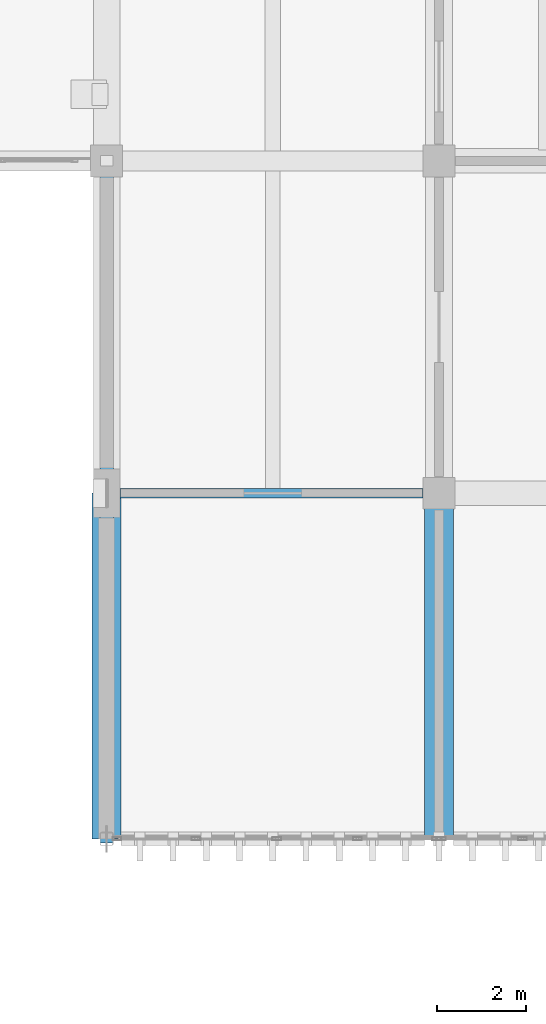
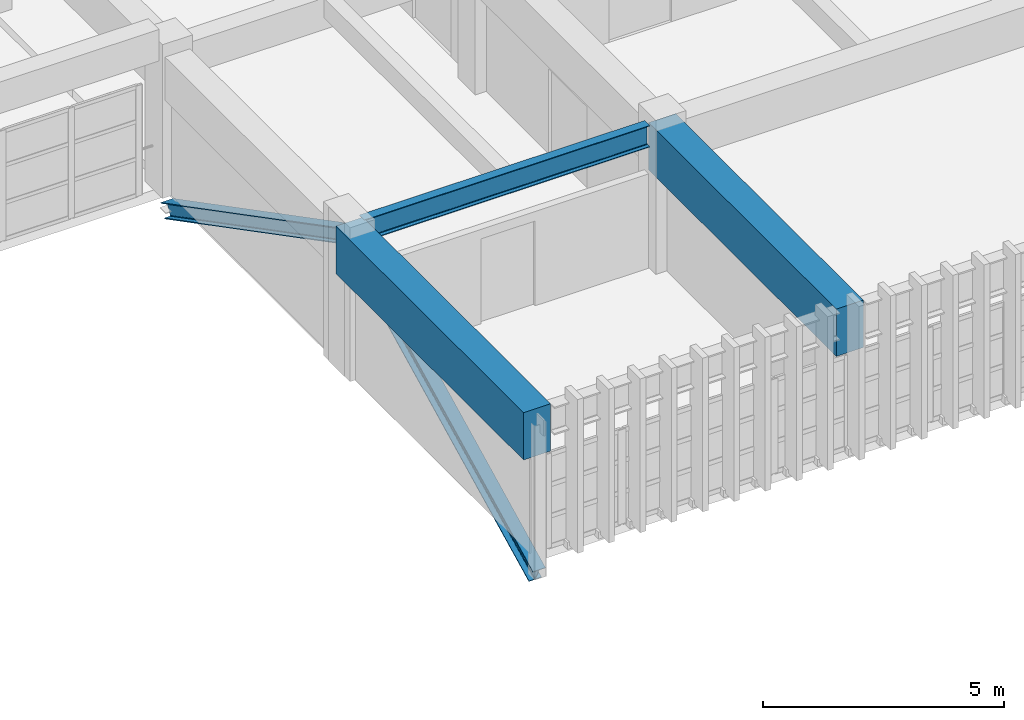
# One storey, part 15 of 101: 3 beams, 2 members.
"""IFC4 building model written with IfcOpenShell, lengths in metres."""

from ifc_helpers import new_model, si_unit, direction, frame, origin, origin_2d, place, context, subcontext, project, spatial, rectangle, i_section, extrude, material, material_profile, profile_set, type_object, element, save


model = new_model("IFC4")

# Units and contexts
model_context = context("Model", 3, precision=1e-05, world=origin(), true_north=direction((0.0, 1.0)))
body_context = subcontext(model_context, "Body", "Model", "MODEL_VIEW")
ifc_project = project(units=[si_unit("LENGTHUNIT", "METRE"), si_unit("AREAUNIT", "SQUARE_METRE"), si_unit("VOLUMEUNIT", "CUBIC_METRE"), si_unit("PLANEANGLEUNIT", "RADIAN"), si_unit("MASSUNIT", "GRAM", prefix="KILO")], contexts=[model_context])

# Site, building, storey
site_placement = place(None, origin())
site = spatial("IfcSite", under=ifc_project, at=site_placement, CompositionType="ELEMENT")
building_placement = place(site_placement, origin())
building = spatial("IfcBuilding", under=site, at=building_placement, Name="Qasida Concert Hall", CompositionType="ELEMENT")
storey_placement = place(building_placement, frame((0.0, 0.0, 13.199951171875)))
storey = spatial("IfcBuildingStorey", under=building, at=storey_placement, Name="L03", CompositionType="ELEMENT", Elevation=13.199951171875)

# Beams
ifc_material_1 = material(Name="Concrete C50/60", Category="concrete")
ifc_material_profile_1 = material_profile(ifc_material_1, rectangle(XDim=0.64990234375, YDim=1.199951171875, at=origin_2d()), Name="RC 650x1200")
ifc_profile_set_1 = profile_set([ifc_material_profile_1], Name="Concrete C50/60")
beam_type_1 = type_object("IfcBeamType", Name="BM-CG-1200", PredefinedType="USERDEFINED", material=ifc_profile_set_1)
for number, where, z_axis, x_axis, name in (
    (1, (52.5, 22.5, 3.02001953125), (0.0, -1.0, 0.0), (1.0, 0.0, 0.0), "Cantilever girder CG-015"),
    (2, (60.0, 22.5, 3.02001953125), (0.0, -1.0, 0.0), (1.0, 0.0, 0.0), "Cantilever girder CG-016"),
):
    element("IfcBeam", number, at=place(storey_placement, frame(where, z_axis=z_axis, x_axis=x_axis)), inside=storey, type_object=beam_type_1, Name=name, ObjectType="GIRDER", PredefinedType="USERDEFINED", context=body_context, shape_type="SweptSolid", body=[
        extrude(rectangle(XDim=0.64990234375, YDim=1.199951171875, at=origin_2d()), origin(), (0.0, 0.0, 1.0), 7.800048828125),
    ])
ifc_material_2 = material(Name="Steel S355J2", Category="steel")
ifc_material_profile_2 = material_profile(ifc_material_2, i_section(OverallWidth=0.2099609375, OverallDepth=0.550048828125, WebThickness=0.010986328125, FlangeThickness=0.01708984375, FilletRadius=0.02392578125, at=origin_2d()), Name="IPE 550")
ifc_profile_set_2 = profile_set([ifc_material_profile_2], Name="Steel S355J2")
beam_type_2 = type_object("IfcBeamType", Name="BM-SP2", PredefinedType="SPANDREL", material=ifc_profile_set_2)
beam_placement = place(storey_placement, frame((52.800048828125, 22.5, 3.344970703125), z_axis=(1.0, 0.0, 0.0), x_axis=(0.0, 1.0, 0.0)))
element("IfcBeam", 3, at=beam_placement, inside=storey, type_object=beam_type_2, Name="Primary girder 1510", PredefinedType="SPANDREL", context=body_context, shape_type="SweptSolid", body=[
    extrude(i_section(OverallWidth=0.2099609375, OverallDepth=0.550048828125, WebThickness=0.010986328125, FlangeThickness=0.01708984375, FilletRadius=0.02392578125, at=origin_2d()), origin(), (0.0, 0.0, 1.0), 6.83984375),
])

# Members
ifc_material_profile_3 = material_profile(ifc_material_2, i_section(OverallWidth=0.300048828125, OverallDepth=0.360107421875, WebThickness=0.012451171875, FlangeThickness=0.0224609375, FilletRadius=0.027099609375, at=origin_2d()), Name="HEB 360")
ifc_profile_set_3 = profile_set([ifc_material_profile_3], Name="Steel S355J2")
member_type_1 = type_object("IfcMemberType", Name="MB-BR1", PredefinedType="BRACE", material=ifc_profile_set_3)
member_1_placement = place(storey_placement, frame((52.5, 22.5, 3.300048828125), z_axis=(0.0, 0.8872215298, -0.461343643133), x_axis=(-1.0, 0.0, 0.0)))
element("IfcMember", 4, at=member_1_placement, inside=storey, type_object=member_type_1, Name="Wall truss backspan brace WT-W-009", PredefinedType="BRACE", context=body_context, shape_type="SweptSolid", body=[
    extrude(i_section(OverallWidth=0.300048828125, OverallDepth=0.360107421875, WebThickness=0.012451171875, FlangeThickness=0.0224609375, FilletRadius=0.027099609375, at=origin_2d()), origin(), (0.0, 0.0, 1.0), 8.453369140625),
])
ifc_material_profile_4 = material_profile(ifc_material_2, i_section(OverallWidth=0.300048828125, OverallDepth=0.39990234375, WebThickness=0.013427734375, FlangeThickness=0.02392578125, FilletRadius=0.027099609375, at=origin_2d()), Name="HEB 400")
ifc_profile_set_4 = profile_set([ifc_material_profile_4], Name="Steel S355J2")
member_type_2 = type_object("IfcMemberType", Name="MB-CH1", PredefinedType="CHORD", material=ifc_profile_set_4)
member_2_placement = place(storey_placement, frame((52.5, 22.5, 3.300048828125), z_axis=(0.0, -0.894432790058, -0.447202397208), x_axis=(1.0, 0.0, 0.0)))
element("IfcMember", 5, at=member_2_placement, inside=storey, type_object=member_type_2, Name="Wall truss diagonal WT-W-008", PredefinedType="CHORD", context=body_context, shape_type="SweptSolid", body=[
    extrude(i_section(OverallWidth=0.300048828125, OverallDepth=0.39990234375, WebThickness=0.013427734375, FlangeThickness=0.02392578125, FilletRadius=0.027099609375, at=origin_2d()), origin(), (0.0, 0.0, 1.0), 8.720703125),
])

save(model, "model.ifc")
